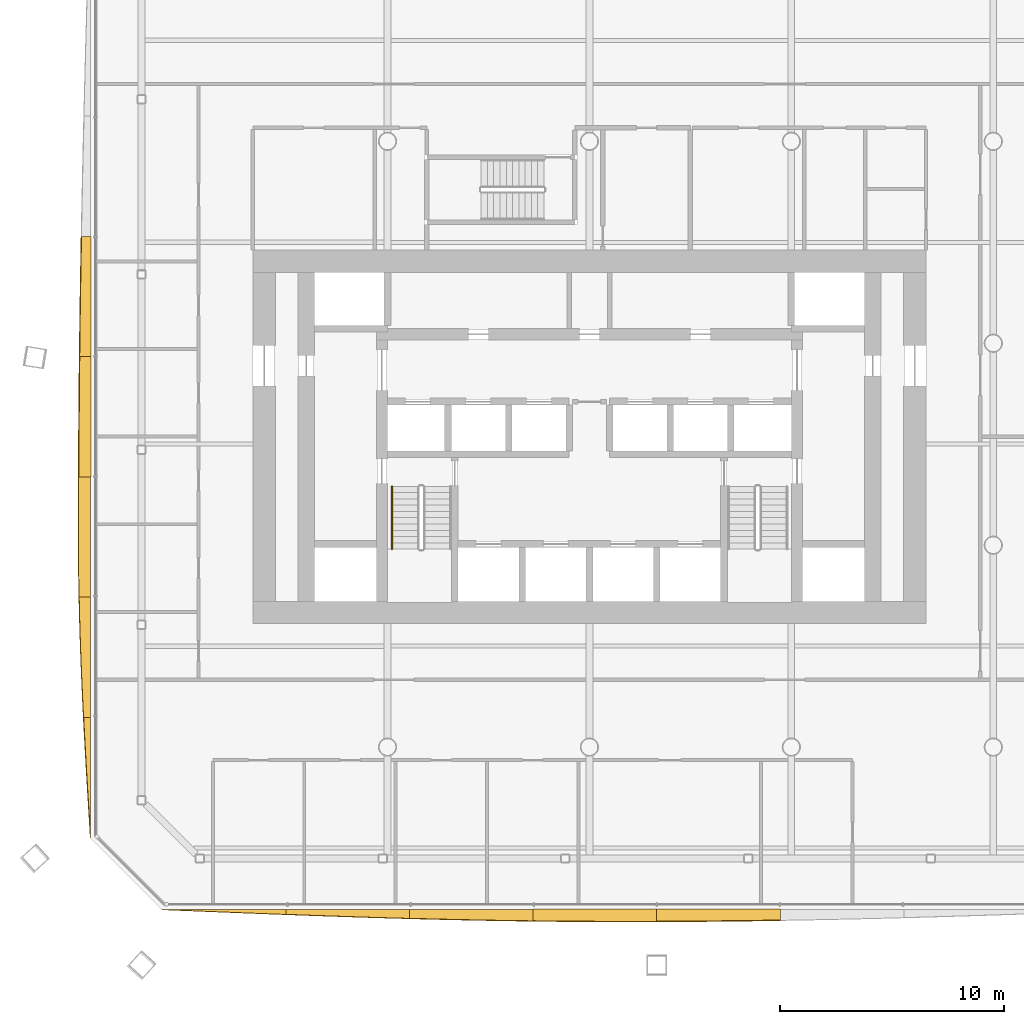
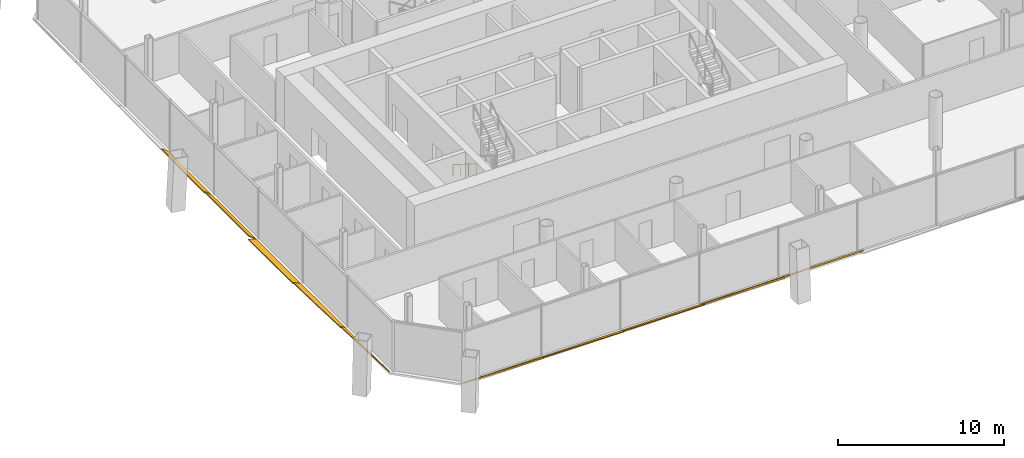
# One storey, part 15 of 19: 10 shading devices, 1 railing.
"""IFC4 building model written with IfcOpenShell, lengths in metres."""

from ifc_helpers import new_model, si_unit, direction, frame, origin, origin_2d, place, context, subcontext, project, spatial, polyline, circle, outline, extrude, material, layer, layer_set, type_object, element, save


model = new_model("IFC4")

# Units and contexts
model_context = context("Model", 3, precision=1e-05, world=origin(), true_north=direction((0.0, 1.0)))
body_context = subcontext(model_context, "Body", "Model", "MODEL_VIEW")
ifc_project = project(units=[si_unit("LENGTHUNIT", "METRE"), si_unit("AREAUNIT", "SQUARE_METRE"), si_unit("VOLUMEUNIT", "CUBIC_METRE"), si_unit("PLANEANGLEUNIT", "RADIAN"), si_unit("MASSUNIT", "GRAM", prefix="KILO")], contexts=[model_context])

# Site, building, storey
site_placement = place(None, origin())
site = spatial("IfcSite", under=ifc_project, at=site_placement, CompositionType="ELEMENT")
building_placement = place(site_placement, origin())
building = spatial("IfcBuilding", under=site, at=building_placement, Name="Tskaro Facet Tower", CompositionType="ELEMENT")
storey_placement = place(building_placement, frame((0.0, 0.0, 81.60009765625)))
storey = spatial("IfcBuildingStorey", under=building, at=storey_placement, Name="L19", CompositionType="ELEMENT", Elevation=81.60009765625)

# Shading devices
ifc_material_1 = material(Name="Bronze anodised aluminium 6063-T6", Category="aluminium")
ifc_layer = layer(ifc_material_1, 0.06005859375, Name="Bronze anodised aluminium 6063-T6")
ifc_layer_set = layer_set([ifc_layer], Name="Bronze anodised aluminium 6063-T6")
shading_device_type = type_object("IfcShadingDeviceType", Name="Bronze sun blade (FN1)", PredefinedType="USERDEFINED", material=ifc_layer_set)
shading_device_1_placement = place(storey_placement, frame((-19.04296875, -25.240478515625, 0.056396484375), z_axis=(-4.0546578e-05, 0.341016421652, 0.940057337889), x_axis=(0.999999999178, 1.3827049e-05, 3.8116108e-05)))
element("IfcShadingDevice", 1, at=shading_device_1_placement, inside=storey, type_object=shading_device_type, Name="Fin blade south 1", ObjectType="FIN", PredefinedType="USERDEFINED", context=body_context, shape_type="SweptSolid", body=[
    extrude(outline(polyline([(0.0, 0.0), (5.510742182970101, 0.0), (5.510742191958239, -0.23277898657011276), (4.821777347057296, -0.20497484211400785), (4.133056636851207, -0.1768579355093203), (3.4440917961475503, -0.1480525103460424), (2.7553710901387474, -0.11893432303418183), (2.06640624688089, -0.08958662953612448), (1.3776855416936293, -0.059696667703287694), (0.6887206958815697, -0.0298067058704509), (0.0, 0.0)])), origin(), (0.0, 0.0, -1.0), 0.06005859375),
])
shading_device_2_placement = place(storey_placement, frame((-13.5322265625, -25.235595703125, 0.05419921875), z_axis=(5.106323e-06, 0.422798628885, 0.906223658589), x_axis=(0.999999999987, -2.158946e-06, -4.62747e-06)))
element("IfcShadingDevice", 2, at=shading_device_2_placement, inside=storey, type_object=shading_device_type, Name="Fin blade south 2", ObjectType="FIN", PredefinedType="USERDEFINED", context=body_context, shape_type="SweptSolid", body=[
    extrude(outline(polyline([(0.0, 0.0), (5.510742187428155, 0.0), (5.510742187664122, -0.44126281866721156), (4.821777343557066, -0.41974391193941996), (4.133056640753254, -0.3973548225374135), (3.4440917969485207, -0.3736530584403909), (2.7553710939199445, -0.34885986565875265), (2.066406249814866, -0.323299712524406), (1.3776855470130316, -0.29686937671584446), (0.6887207026076082, -0.2694508345441738), (3.251564459858305e-11, -0.24138335570868893), (0.0, 0.0)])), origin(), (0.0, 0.0, -1.0), 0.06005859375),
])
shading_device_3_placement = place(storey_placement, frame((-8.021484375, -25.23095703125, 0.0517578125), z_axis=(-6.710217e-06, 0.500137717741, 0.865945877782), x_axis=(0.999999999977, 3.356033e-06, 5.810685e-06)))
element("IfcShadingDevice", 3, at=shading_device_3_placement, inside=storey, type_object=shading_device_type, Name="Fin blade south 3", ObjectType="FIN", PredefinedType="USERDEFINED", context=body_context, shape_type="SweptSolid", body=[
    extrude(outline(polyline([(0.0, 0.0), (5.510742187375934, 2.3338900983183676e-21), (5.510742187764969, -0.5915335365096358), (4.821777343356535, -0.5804800558595958), (4.133056640832567, -0.5681253045004463), (3.4440917969251714, -0.5540136619943685), (2.755371093483617, -0.538478644844183), (2.0664062500772586, -0.5213088404820674), (1.377685547136742, -0.502715661475844), (0.6887207025927333, -0.48291052039333576), (-6.680938193180652e-11, -0.46180410860171806), (0.0, 0.0)])), origin(), (0.0, 0.0, -1.0), 0.06005859375),
])
shading_device_4_placement = place(storey_placement, frame((-2.5107421875, -25.2265625, 0.049072265625), z_axis=(7.519674e-06, 0.573559601958, 0.819163831565), x_axis=(0.999999999972, -4.312981e-06, -6.159845e-06)))
element("IfcShadingDevice", 4, at=shading_device_4_placement, inside=storey, type_object=shading_device_type, Name="Fin blade south 4", ObjectType="FIN", PredefinedType="USERDEFINED", context=body_context, shape_type="SweptSolid", body=[
    extrude(outline(polyline([(0.0, 0.0), (5.510742187344197, 2.3338900983183676e-21), (5.5107421879295115, -0.6556255411463783), (4.821777342997492, -0.6575256341638109), (4.188232421742484, -0.6580656457031545), (4.133056640494044, -0.6580656457031545), (3.4440917966123377, -0.6571856137942886), (2.755371093504149, -0.6542054976981687), (2.0664062505215712, -0.6496653089541384), (1.3776855468086426, -0.643165065222555), (0.688720703221325, -0.6351047488430612), (-4.3369685905348114e-11, -0.6252843686458356), (0.0, 0.0)])), origin(), (0.0, 0.0, -1.0), 0.06005859375),
])
shading_device_5_placement = place(storey_placement, frame((3.0, -25.222412109375, 0.0458984375), z_axis=(-6.752973e-06, 0.642767987335, 0.766060907769), x_axis=(0.999999999977, 4.340595e-06, 5.173189e-06)))
element("IfcShadingDevice", 5, at=shading_device_5_placement, inside=storey, type_object=shading_device_type, Name="Fin blade south 5", ObjectType="FIN", PredefinedType="USERDEFINED", context=body_context, shape_type="SweptSolid", body=[
    extrude(outline(polyline([(0.0, 0.0), (5.510742187374348, -2.3338900983183676e-21), (5.510742188016211, -0.6307793367912593), (4.8220214837469095, -0.6446578347129361), (4.13305664142195, -0.6569433957672379), (3.4443359365862034, -0.6678832481642871), (2.7553710938980696, -0.6775741160609381), (2.0666503908185803, -0.6855452221227061), (1.377685546301017, -0.6921405187165679), (0.6889648439180691, -0.6973299050318699), (9.704696136660483e-11, -0.7011434818792657), (0.0, 0.0)])), origin(), (0.0, 0.0, -1.0), 0.06005859375),
])
shading_device_6_placement = place(storey_placement, frame((-22.2265625, 4.763916015625, 0.049072265625), z_axis=(0.573519484452, 4.30231e-07, 0.819191919488), x_axis=(2.46746e-07, -1.0, 3.52442e-07)))
element("IfcShadingDevice", 6, at=shading_device_6_placement, inside=storey, type_object=shading_device_type, Name="Fin blade west 4", ObjectType="FIN", PredefinedType="USERDEFINED", context=body_context, shape_type="SweptSolid", body=[
    extrude(outline(polyline([(0.0, 0.0), (5.361328124999504, -2.838263476822576e-22), (5.36132812498144, -0.6019834541943957), (4.6911621093654015, -0.5921630729723524), (4.020996093757994, -0.5814626588578854), (3.3508300781592184, -0.569882211850995), (2.680664062508834, -0.5576217299788995), (2.01049804686708, -0.5444812152143804), (1.3403320312597624, -0.5308006849900403), (0.6701660156008353, -0.5164401199004952), (-2.3655502738307087e-11, -0.5015395393511289), (0.0, 0.0)])), origin(), (0.0, 0.0, -1.0), 0.06005859375),
])
shading_device_7_placement = place(storey_placement, frame((-22.222412109375, -0.597412109375, 0.0458984375), z_axis=(0.642755530733, -8.474244e-06, 0.766071359366), x_axis=(-5.446867e-06, -0.999999999964, -6.491875e-06)))
element("IfcShadingDevice", 7, at=shading_device_7_placement, inside=storey, type_object=shading_device_type, Name="Fin blade west 5", ObjectType="FIN", PredefinedType="USERDEFINED", context=body_context, shape_type="SweptSolid", body=[
    extrude(outline(polyline([(0.0, 0.0), (5.3615722654324856, 0.0), (5.361572265925318, -0.6982048373925949), (4.691406250216069, -0.6943912603368627), (4.021240235017077, -0.689889779526175), (3.350830077043749, -0.6843263366795778), (2.6806640631204024, -0.678105096481501), (2.01049804704771, -0.6708218942475146), (1.3403320301554749, -0.6626637591180957), (0.6701660153584279, -0.6536607974967201), (-2.5816246682683664e-10, -0.6437829029799121), (0.0, 0.0)])), origin(), (0.0, 0.0, -1.0), 0.06005859375),
])
shading_device_8_placement = place(storey_placement, frame((-22.240478515625, -5.958984375, 0.056396484375), z_axis=(0.341866153106, -1.2873105e-05, 0.939748654266), x_axis=(-4.400879e-06, -0.999999999917, -1.2097483e-05)))
element("IfcShadingDevice", 8, at=shading_device_8_placement, inside=storey, type_object=shading_device_type, Name="Fin blade west 6", ObjectType="FIN", PredefinedType="USERDEFINED", context=body_context, shape_type="SweptSolid", body=[
    extrude(outline(polyline([(0.0, 0.0), (5.361328124555769, 0.0), (5.361328125466408, -0.5400850254273638), (4.691162108576782, -0.5533718023514581), (4.020996092486957, -0.563258661484502), (3.350830078271369, -0.5699750336503101), (2.6806640619020956, -0.5733749514413603), (2.3588867192531913, -0.5736043822651747), (2.010498047407058, -0.5736043822651747), (1.340332031567774, -0.5728326263774389), (0.670166015458677, -0.5712891146019673), (-9.202326161702848e-10, -0.5689738469387597), (0.0, 0.0)])), origin(), (0.0, 0.0, -1.0), 0.06005859375),
])
shading_device_9_placement = place(storey_placement, frame((-22.235595703125, -11.3203125, 0.05419921875), z_axis=(0.422691799952, -1.2123197e-05, 0.906273491892), x_axis=(-5.124376e-06, -0.999999999927, -1.0986932e-05)))
element("IfcShadingDevice", 9, at=shading_device_9_placement, inside=storey, type_object=shading_device_type, Name="Fin blade west 7", ObjectType="FIN", PredefinedType="USERDEFINED", context=body_context, shape_type="SweptSolid", body=[
    extrude(outline(polyline([(0.0, 0.0), (5.361328124606018, 0.0), (5.361328125327575, -0.34263577127965494), (4.691162108406525, -0.3787857300983569), (4.020996093457422, -0.41297409671890384), (3.350830076727061, -0.44453709661105234), (2.680664062148867, -0.47359279171132007), (2.010498047220704, -0.49969866566621146), (1.3403320319425716, -0.5228547184757265), (0.6701660163144691, -0.5430609501398653), (-9.146710709549206e-10, -0.5600961024818799), (0.0, 0.0)])), origin(), (0.0, 0.0, -1.0), 0.06005859375),
])
shading_device_10_placement = place(storey_placement, frame((-22.23095703125, -16.681640625, 0.0517578125), z_axis=(0.500226771393, -6.698159e-06, 0.865894437641), x_axis=(-3.350598e-06, -0.999999999978, -5.799899e-06)))
element("IfcShadingDevice", 10, at=shading_device_10_placement, inside=storey, type_object=shading_device_type, Name="Fin blade west 8", ObjectType="FIN", PredefinedType="USERDEFINED", context=body_context, shape_type="SweptSolid", body=[
    extrude(outline(polyline([(0.0, 0.0), (5.361328124879732, 0.0), (4.691162108747567, -0.04769491786185345), (4.020996094031392, -0.09526771004709463), (3.3508300782771565, -0.14208417652814037), (2.680664062900852, -0.18802219162837847), (2.0104980470844596, -0.23287035533861444), (1.3403320308279802, -0.27662866765884836), (0.6701660153273615, -0.3186300772174669), (-2.3541421182107085e-10, -0.35866318400527564), (0.0, 0.0)])), origin(), (0.0, 0.0, -1.0), 0.06005859375),
])

# Railing
ifc_material_2 = material(Name="Stainless steel", Category="steel")
railing_type = type_object("IfcRailingType", Name="RL-HANDRAIL-900", PredefinedType="HANDRAIL", material=ifc_material_2)
railing_placement = place(storey_placement, frame((-8.800048828125, -6.375, 0.17724609375)))
element("IfcRailing", 11, at=railing_placement, inside=storey, type_object=railing_type, Name="L19 ST-1 stair handrail 1", PredefinedType="HANDRAIL", context=body_context, shape_type="SweptSolid", body=[
    extrude(circle(Radius=0.02392578125, at=origin_2d()), frame((0.0, 0.0, 0.8759765625), z_axis=(0.0, -0.844908973607, 0.534910110503), x_axis=(1.0, 0.0, 0.0)), (0.0, 0.0, 1.0), 3.31396484375),
    extrude(circle(Radius=0.02099609375, at=origin_2d()), origin(), (0.0, 0.0, 1.0), 0.851806640625),
    extrude(circle(Radius=0.02099609375, at=origin_2d()), frame((0.0, -0.933349609375, 0.5908203125)), (0.0, 0.0, 1.0), 0.851806640625),
    extrude(circle(Radius=0.02099609375, at=origin_2d()), frame((0.0, -1.86669921875, 1.181884765625)), (0.0, 0.0, 1.0), 0.851806640625),
    extrude(circle(Radius=0.02099609375, at=origin_2d()), frame((0.0, -2.800048828125, 1.772705078125)), (0.0, 0.0, 1.0), 0.851806640625),
])

save(model, "model.ifc")
